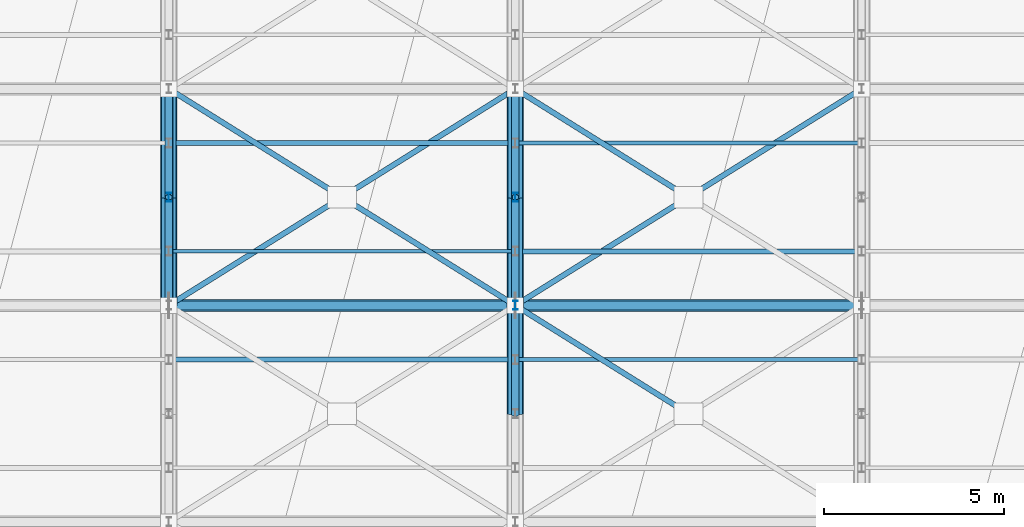
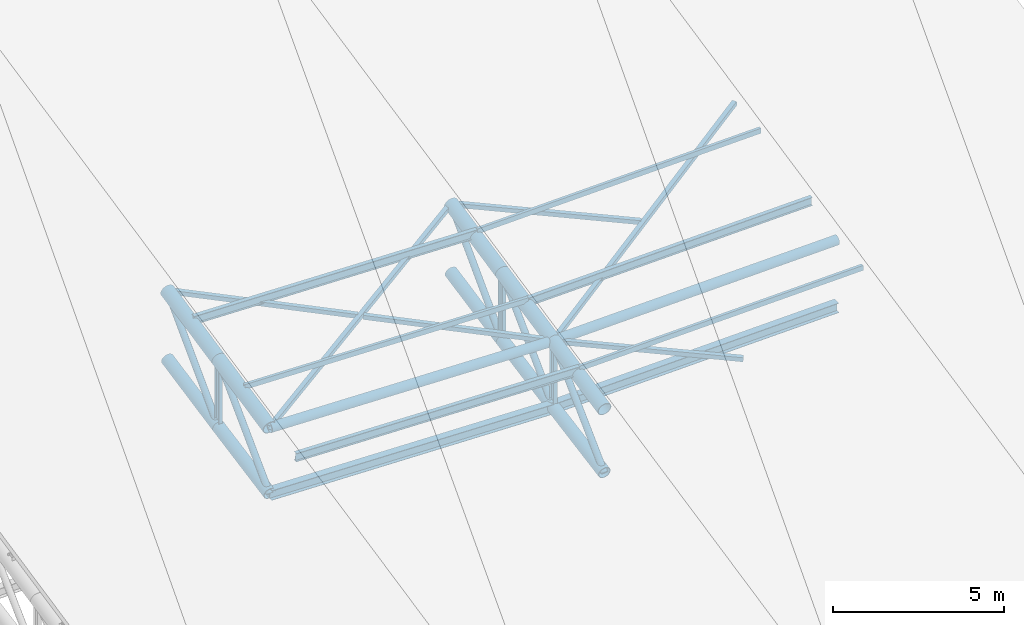
# One storey, part 39 of 109: 24 members, 10 beams.
"""IFC4 building model written with IfcOpenShell, lengths in metres."""

from ifc_helpers import new_model, si_unit, direction, frame, origin, origin_2d, place, context, subcontext, project, spatial, hollow_rectangle, hollow_circle, i_section, extrude, material, material_profile, profile_set, type_object, element, save


model = new_model("IFC4")

# Units and contexts
model_context = context("Model", 3, precision=1e-05, world=origin(), true_north=direction((0.0, 1.0)))
body_context = subcontext(model_context, "Body", "Model", "MODEL_VIEW")
ifc_project = project(units=[si_unit("LENGTHUNIT", "METRE"), si_unit("AREAUNIT", "SQUARE_METRE"), si_unit("VOLUMEUNIT", "CUBIC_METRE"), si_unit("PLANEANGLEUNIT", "RADIAN"), si_unit("MASSUNIT", "GRAM", prefix="KILO")], contexts=[model_context])

# Site, building, storey
site_placement = place(None, origin())
site = spatial("IfcSite", under=ifc_project, at=site_placement, CompositionType="ELEMENT")
building_placement = place(site_placement, origin())
building = spatial("IfcBuilding", under=site, at=building_placement, Name="Suirenkawa Promenade Aquatics Centre", CompositionType="ELEMENT")
storey_placement = place(building_placement, frame((0.0, 0.0, 22.800048828125)))
storey = spatial("IfcBuildingStorey", under=building, at=storey_placement, Name="ROOF", CompositionType="ELEMENT", Elevation=22.800048828125)

# Beams
ifc_material = material(Name="Steel IS 2062 E350 (Grade 350)", Category="steel")
ifc_material_profile_1 = material_profile(ifc_material, hollow_circle(Radius=0.202880859375, WallThickness=0.01806640625, at=origin_2d()), Name="CHS 406x18", Category="steel")
ifc_profile_set_1 = profile_set([ifc_material_profile_1], Name="Steel IS 2062 E350 (Grade 350)")
beam_type_1 = type_object("IfcBeamType", Name="BT-BC-CHS406", PredefinedType="BEAM", material=ifc_profile_set_1)
beam_1_placement = place(storey_placement, frame((165.60009765625, 68.39990234375, -7.341064453125), z_axis=(0.0, 0.982125967057, 0.188224825229), x_axis=(-1.0, 0.0, 0.0)))
element("IfcBeam", 1, at=beam_1_placement, inside=storey, type_object=beam_type_1, Name="ROOF TRUSS V2 bottom chord BC-01 BM-2444", PredefinedType="BEAM", context=body_context, shape_type="SweptSolid", body=[
    extrude(hollow_circle(Radius=0.202880859375, WallThickness=0.01806640625, at=origin_2d()), origin(), (0.0, 0.0, 1.0), 3.0546875),
])
beam_2_placement = place(storey_placement, frame((165.60009765625, 71.39990234375, -6.76611328125), z_axis=(0.0, 0.980204587851, 0.197987287357), x_axis=(-1.0, 0.0, 0.0)))
element("IfcBeam", 2, at=beam_2_placement, inside=storey, type_object=beam_type_1, Name="ROOF TRUSS V2 bottom chord BC-01 BM-2446", PredefinedType="BEAM", context=body_context, shape_type="SweptSolid", body=[
    extrude(hollow_circle(Radius=0.202880859375, WallThickness=0.01806640625, at=origin_2d()), origin(), (0.0, 0.0, 1.0), 3.060546875),
])
beam_3_placement = place(storey_placement, frame((175.199951171875, 65.39990234375, -8.136962890625), z_axis=(0.0, 0.983844279064, 0.179026351561), x_axis=(-1.0, 0.0, 0.0)))
element("IfcBeam", 3, at=beam_3_placement, inside=storey, type_object=beam_type_1, Name="ROOF TRUSS V2 bottom chord BC-01 BM-2478", PredefinedType="BEAM", context=body_context, shape_type="SweptSolid", body=[
    extrude(hollow_circle(Radius=0.202880859375, WallThickness=0.01806640625, at=origin_2d()), origin(), (0.0, 0.0, 1.0), 3.04931640625),
])
beam_4_placement = place(storey_placement, frame((175.199951171875, 68.39990234375, -7.591064453125), z_axis=(0.0, 0.982125967057, 0.188224825229), x_axis=(-1.0, 0.0, 0.0)))
element("IfcBeam", 4, at=beam_4_placement, inside=storey, type_object=beam_type_1, Name="ROOF TRUSS V2 bottom chord BC-01 BM-2480", PredefinedType="BEAM", context=body_context, shape_type="SweptSolid", body=[
    extrude(hollow_circle(Radius=0.202880859375, WallThickness=0.01806640625, at=origin_2d()), origin(), (0.0, 0.0, 1.0), 3.0546875),
])
beam_5_placement = place(storey_placement, frame((175.199951171875, 71.39990234375, -7.01611328125), z_axis=(0.0, 0.980204587851, 0.197987287357), x_axis=(-1.0, 0.0, 0.0)))
element("IfcBeam", 5, at=beam_5_placement, inside=storey, type_object=beam_type_1, Name="ROOF TRUSS V2 bottom chord BC-01 BM-2482", PredefinedType="BEAM", context=body_context, shape_type="SweptSolid", body=[
    extrude(hollow_circle(Radius=0.202880859375, WallThickness=0.01806640625, at=origin_2d()), origin(), (0.0, 0.0, 1.0), 3.060546875),
])
ifc_material_profile_2 = material_profile(ifc_material, hollow_circle(Radius=0.22900390625, WallThickness=0.02001953125, at=origin_2d()), Name="CHS 458x20", Category="steel")
ifc_profile_set_2 = profile_set([ifc_material_profile_2], Name="Steel IS 2062 E350 (Grade 350)")
beam_type_2 = type_object("IfcBeamType", Name="BT-TC-CHS458", PredefinedType="BEAM", material=ifc_profile_set_2)
beam_6_placement = place(storey_placement, frame((165.60009765625, 68.39990234375, -4.97998046875), z_axis=(0.0, 0.978468602667, 0.206395720875), x_axis=(-1.0, 0.0, 0.0)))
element("IfcBeam", 6, at=beam_6_placement, inside=storey, type_object=beam_type_2, Name="ROOF TRUSS V2 top chord TC-01 BM-2443", PredefinedType="BEAM", context=body_context, shape_type="SweptSolid", body=[
    extrude(hollow_circle(Radius=0.22900390625, WallThickness=0.02001953125, at=origin_2d()), origin(), (0.0, 0.0, 1.0), 3.06591796875),
])
for number, where, z_axis, x_axis, name in (
    (7, (165.60009765625, 71.39990234375, -4.34716796875), (0.0, 0.978388130003, 0.206776853322), (-1.0, 0.0, 0.0), "ROOF TRUSS V2 top chord TC-01 BM-2445"),
    (8, (175.199951171875, 65.39990234375, -5.863037109375), (0.0, 0.978452518953, 0.206471954886), (-1.0, 0.0, 0.0), "ROOF TRUSS V2 top chord TC-01 BM-2477"),
):
    element("IfcBeam", number, at=place(storey_placement, frame(where, z_axis=z_axis, x_axis=x_axis)), inside=storey, type_object=beam_type_2, Name=name, PredefinedType="BEAM", context=body_context, shape_type="SweptSolid", body=[
        extrude(hollow_circle(Radius=0.22900390625, WallThickness=0.02001953125, at=origin_2d()), origin(), (0.0, 0.0, 1.0), 3.066162109375),
    ])
beam_7_placement = place(storey_placement, frame((175.199951171875, 68.39990234375, -5.22998046875), z_axis=(0.0, 0.978468602667, 0.206395720875), x_axis=(-1.0, 0.0, 0.0)))
element("IfcBeam", 9, at=beam_7_placement, inside=storey, type_object=beam_type_2, Name="ROOF TRUSS V2 top chord TC-01 BM-2479", PredefinedType="BEAM", context=body_context, shape_type="SweptSolid", body=[
    extrude(hollow_circle(Radius=0.22900390625, WallThickness=0.02001953125, at=origin_2d()), origin(), (0.0, 0.0, 1.0), 3.06591796875),
])
beam_8_placement = place(storey_placement, frame((175.199951171875, 71.39990234375, -4.59716796875), z_axis=(0.0, 0.978388130003, 0.206776853322), x_axis=(-1.0, 0.0, 0.0)))
element("IfcBeam", 10, at=beam_8_placement, inside=storey, type_object=beam_type_2, Name="ROOF TRUSS V2 top chord TC-01 BM-2481", PredefinedType="BEAM", context=body_context, shape_type="SweptSolid", body=[
    extrude(hollow_circle(Radius=0.22900390625, WallThickness=0.02001953125, at=origin_2d()), origin(), (0.0, 0.0, 1.0), 3.066162109375),
])

# Members
ifc_material_profile_3 = material_profile(ifc_material, hollow_rectangle(XDim=0.14990234375, YDim=0.14990234375, WallThickness=0.008056640625, at=origin_2d()), Name="SHS 150x150x8", Category="steel")
ifc_profile_set_3 = profile_set([ifc_material_profile_3], Name="Steel IS 2062 E350 (Grade 350)")
member_type_1 = type_object("IfcMemberType", Name="MT-BRACE-SHS150", PredefinedType="BRACE", material=ifc_profile_set_3)
member_1_placement = place(storey_placement, frame((165.60009765625, 68.39990234375, -4.97998046875), z_axis=(0.84459441012, 0.527879561128, 0.089462010583), x_axis=(-0.530004755527, 0.847994669275, 0.0)))
element("IfcMember", 11, at=member_1_placement, inside=storey, type_object=member_type_1, Name="ROOF TRUSS V2 continuous plan brace BF-02 MB-1240", PredefinedType="BRACE", context=body_context, shape_type="SweptSolid", body=[
    extrude(hollow_rectangle(XDim=0.14990234375, YDim=0.14990234375, WallThickness=0.008056640625, at=origin_2d()), origin(), (0.0, 0.0, 1.0), 11.3662109375),
])
member_2_placement = place(storey_placement, frame((175.199951171875, 68.39990234375, -5.22998046875), z_axis=(-0.840537967888, 0.525238593873, 0.132741643974), x_axis=(-0.529928101095, -0.848042574208, 0.0)))
element("IfcMember", 12, at=member_2_placement, inside=storey, type_object=member_type_1, Name="ROOF TRUSS V2 split plan brace A BF-02 MB-1241", PredefinedType="BRACE", context=body_context, shape_type="SweptSolid", body=[
    extrude(hollow_rectangle(XDim=0.14990234375, YDim=0.14990234375, WallThickness=0.008056640625, at=origin_2d()), origin(), (0.0, 0.0, 1.0), 5.626220703125),
])
member_3_placement = place(storey_placement, frame((170.3291015625, 71.445068359375, -4.4599609375), z_axis=(-0.840557125377, 0.525207170286, 0.132744669413), x_axis=(-0.529896613575, -0.848062249438, 0.0)))
element("IfcMember", 13, at=member_3_placement, inside=storey, type_object=member_type_1, Name="ROOF TRUSS V2 split plan brace B BF-02 MB-1242", PredefinedType="BRACE", context=body_context, shape_type="SweptSolid", body=[
    extrude(hollow_rectangle(XDim=0.14990234375, YDim=0.14990234375, WallThickness=0.008056640625, at=origin_2d()), origin(), (0.0, 0.0, 1.0), 5.6259765625),
])
member_4_placement = place(storey_placement, frame((179.927978515625, 65.445068359375, -5.73095703125), z_axis=(-0.84461029581, 0.527848725095, 0.089493975369), x_axis=(-0.529975323389, -0.848013063931, 0.0)))
element("IfcMember", 14, at=member_4_placement, inside=storey, type_object=member_type_1, Name="ROOF TRUSS V2 split plan brace B BF-02 MB-1260", PredefinedType="BRACE", context=body_context, shape_type="SweptSolid", body=[
    extrude(hollow_rectangle(XDim=0.14990234375, YDim=0.14990234375, WallThickness=0.008056640625, at=origin_2d()), origin(), (0.0, 0.0, 1.0), 5.597900390625),
])
member_5_placement = place(storey_placement, frame((175.199951171875, 68.39990234375, -5.22998046875), z_axis=(0.840489856682, 0.52530081679, 0.132800047799), x_axis=(-0.529995063044, 0.848000727092, 0.0)))
element("IfcMember", 15, at=member_5_placement, inside=storey, type_object=member_type_1, Name="ROOF TRUSS V2 continuous plan brace BF-02 MB-1261", PredefinedType="BRACE", context=body_context, shape_type="SweptSolid", body=[
    extrude(hollow_rectangle(XDim=0.14990234375, YDim=0.14990234375, WallThickness=0.008056640625, at=origin_2d()), origin(), (0.0, 0.0, 1.0), 11.422119140625),
])
member_6_placement = place(storey_placement, frame((179.927978515625, 71.445068359375, -4.464111328125), z_axis=(-0.84461029581, 0.527848725095, 0.089493975369), x_axis=(-0.529975323389, -0.848013063931, 0.0)))
element("IfcMember", 16, at=member_6_placement, inside=storey, type_object=member_type_1, Name="ROOF TRUSS V2 split plan brace B BF-02 MB-1263", PredefinedType="BRACE", context=body_context, shape_type="SweptSolid", body=[
    extrude(hollow_rectangle(XDim=0.14990234375, YDim=0.14990234375, WallThickness=0.008056640625, at=origin_2d()), origin(), (0.0, 0.0, 1.0), 5.597900390625),
])
ifc_material_profile_4 = material_profile(ifc_material, hollow_circle(Radius=0.162109375, WallThickness=0.013916015625, at=origin_2d()), Name="CHS 324x14", Category="steel")
ifc_profile_set_4 = profile_set([ifc_material_profile_4], Name="Steel IS 2062 E350 (Grade 350)")
member_type_2 = type_object("IfcMemberType", Name="MT-CHORD-CHS324", PredefinedType="CHORD", material=ifc_profile_set_4)
member_7_placement = place(storey_placement, frame((165.60009765625, 68.39990234375, -4.97998046875), z_axis=(0.999661077831, 0.0, -0.026033237804), x_axis=(0.0, 1.0, 0.0)))
element("IfcMember", 17, at=member_7_placement, inside=storey, type_object=member_type_2, Name="ROOF TRUSS V2 tie chord CH-01 MB-1188", PredefinedType="CHORD", context=body_context, shape_type="SweptSolid", body=[
    extrude(hollow_circle(Radius=0.162109375, WallThickness=0.013916015625, at=origin_2d()), origin(), (0.0, 0.0, 1.0), 9.60302734375),
])
member_8_placement = place(storey_placement, frame((175.199951171875, 68.39990234375, -5.22998046875), z_axis=(0.99966109506, 0.0, 0.0260325762), x_axis=(0.0, 1.0, 0.0)))
element("IfcMember", 18, at=member_8_placement, inside=storey, type_object=member_type_2, Name="ROOF TRUSS V2 tie chord CH-01 MB-1190", PredefinedType="CHORD", context=body_context, shape_type="SweptSolid", body=[
    extrude(hollow_circle(Radius=0.162109375, WallThickness=0.013916015625, at=origin_2d()), origin(), (0.0, 0.0, 1.0), 9.603271484375),
])
ifc_material_profile_5 = material_profile(ifc_material, i_section(OverallWidth=0.25, OverallDepth=0.35009765625, WebThickness=0.010009765625, FlangeThickness=0.011962890625, at=origin_2d()), Name="ISHB 350", Category="steel")
ifc_profile_set_5 = profile_set([ifc_material_profile_5], Name="Steel IS 2062 E350 (Grade 350)")
member_type_3 = type_object("IfcMemberType", Name="MT-CHORD-ISHB350", PredefinedType="CHORD", material=ifc_profile_set_5)
member_9_placement = place(storey_placement, frame((165.60009765625, 68.39990234375, -7.341064453125), z_axis=(0.999661077831, 0.0, -0.026033237804), x_axis=(0.0, 1.0, 0.0)))
element("IfcMember", 19, at=member_9_placement, inside=storey, type_object=member_type_3, Name="ROOF TRUSS V2 bottom tie CH-04 MB-1189", PredefinedType="CHORD", context=body_context, shape_type="SweptSolid", body=[
    extrude(i_section(OverallWidth=0.25, OverallDepth=0.35009765625, WebThickness=0.010009765625, FlangeThickness=0.011962890625, at=origin_2d()), origin(), (0.0, 0.0, 1.0), 9.60302734375),
])
member_10_placement = place(storey_placement, frame((175.199951171875, 68.39990234375, -7.591064453125), z_axis=(0.99966109506, 0.0, 0.0260325762), x_axis=(0.0, 1.0, 0.0)))
element("IfcMember", 20, at=member_10_placement, inside=storey, type_object=member_type_3, Name="ROOF TRUSS V2 bottom tie CH-04 MB-1191", PredefinedType="CHORD", context=body_context, shape_type="SweptSolid", body=[
    extrude(i_section(OverallWidth=0.25, OverallDepth=0.35009765625, WebThickness=0.010009765625, FlangeThickness=0.011962890625, at=origin_2d()), origin(), (0.0, 0.0, 1.0), 9.603271484375),
])
ifc_material_profile_6 = material_profile(ifc_material, i_section(OverallWidth=0.139892578125, OverallDepth=0.300048828125, WebThickness=0.008056640625, FlangeThickness=0.012939453125, at=origin_2d()), Name="ISMB 300", Category="steel")
ifc_profile_set_6 = profile_set([ifc_material_profile_6], Name="Steel IS 2062 E350 (Grade 350)")
member_type_4 = type_object("IfcMemberType", Name="MT-PURLIN-ISMB300", PredefinedType="PURLIN", material=ifc_profile_set_6)
for number, where, z_axis, x_axis, name in (
    (21, (165.60009765625, 66.89990234375, -5.110107421875), (0.999661077831, 0.0, -0.026033237804), (0.0, 1.0, 0.0), "ROOF TRUSS Roof purlin PU-05 MB-2485"),
    (22, (165.60009765625, 72.89990234375, -3.843994140625), (0.999661077831, 0.0, -0.026033237804), (0.0, 1.0, 0.0), "ROOF TRUSS Roof purlin PU-05 MB-2489"),
):
    element("IfcMember", number, at=place(storey_placement, frame(where, z_axis=z_axis, x_axis=x_axis)), inside=storey, type_object=member_type_4, Name=name, PredefinedType="PURLIN", context=body_context, shape_type="SweptSolid", body=[
        extrude(i_section(OverallWidth=0.139892578125, OverallDepth=0.300048828125, WebThickness=0.008056640625, FlangeThickness=0.012939453125, at=origin_2d()), origin(), (0.0, 0.0, 1.0), 9.60302734375),
    ])
member_11_placement = place(storey_placement, frame((175.199951171875, 69.89990234375, -4.72705078125), z_axis=(0.99966109506, 0.0, 0.0260325762), x_axis=(0.0, 1.0, 0.0)))
element("IfcMember", 23, at=member_11_placement, inside=storey, type_object=member_type_4, Name="ROOF TRUSS Roof purlin PU-05 MB-2531", PredefinedType="PURLIN", context=body_context, shape_type="SweptSolid", body=[
    extrude(i_section(OverallWidth=0.139892578125, OverallDepth=0.300048828125, WebThickness=0.008056640625, FlangeThickness=0.012939453125, at=origin_2d()), origin(), (0.0, 0.0, 1.0), 9.603271484375),
])
ifc_material_profile_7 = material_profile(ifc_material, hollow_rectangle(XDim=0.10009765625, YDim=0.179931640625, WallThickness=0.008056640625, at=origin_2d()), Name="RHS 180x100x8", Category="steel")
ifc_profile_set_7 = profile_set([ifc_material_profile_7], Name="Steel IS 2062 E350 (Grade 350)")
member_type_5 = type_object("IfcMemberType", Name="MT-PURLIN-RHS180", PredefinedType="PURLIN", material=ifc_profile_set_7)
member_12_placement = place(storey_placement, frame((165.60009765625, 69.89990234375, -4.4130859375), z_axis=(0.999661077831, 0.0, -0.026033237804), x_axis=(0.0, 1.0, 0.0)))
element("IfcMember", 24, at=member_12_placement, inside=storey, type_object=member_type_5, Name="ROOF TRUSS Roof purlin PU-01 MB-2487", PredefinedType="PURLIN", context=body_context, shape_type="SweptSolid", body=[
    extrude(hollow_rectangle(XDim=0.10009765625, YDim=0.179931640625, WallThickness=0.008056640625, at=origin_2d()), origin(), (0.0, 0.0, 1.0), 9.60302734375),
])
for number, where, z_axis, x_axis, name in (
    (25, (175.199951171875, 66.89990234375, -5.296142578125), (0.99966109506, 0.0, 0.0260325762), (0.0, 1.0, 0.0), "ROOF TRUSS Roof purlin PU-01 MB-2529"),
    (26, (175.199951171875, 72.89990234375, -4.029052734375), (0.99966109506, 0.0, 0.0260325762), (0.0, 1.0, 0.0), "ROOF TRUSS Roof purlin PU-01 MB-2533"),
):
    element("IfcMember", number, at=place(storey_placement, frame(where, z_axis=z_axis, x_axis=x_axis)), inside=storey, type_object=member_type_5, Name=name, PredefinedType="PURLIN", context=body_context, shape_type="SweptSolid", body=[
        extrude(hollow_rectangle(XDim=0.10009765625, YDim=0.179931640625, WallThickness=0.008056640625, at=origin_2d()), origin(), (0.0, 0.0, 1.0), 9.603271484375),
    ])
ifc_material_profile_8 = material_profile(ifc_material, i_section(OverallWidth=0.125, OverallDepth=0.25, WebThickness=0.007080078125, FlangeThickness=0.012939453125, at=origin_2d()), Name="ISMB 250", Category="steel")
ifc_profile_set_8 = profile_set([ifc_material_profile_8], Name="Steel IS 2062 E350 (Grade 350)")
member_type_6 = type_object("IfcMemberType", Name="MT-WEB-CHS168", PredefinedType="BRACE", material=ifc_profile_set_8)
member_13_placement = place(storey_placement, frame((165.60009765625, 71.39990234375, -6.76611328125), z_axis=(0.0, 0.0, 1.0), x_axis=(1.0, 0.0, 0.0)))
element("IfcMember", 27, at=member_13_placement, inside=storey, type_object=member_type_6, Name="ROOF TRUSS V2 web post TD-03 MB-1030", PredefinedType="BRACE", context=body_context, shape_type="SweptSolid", body=[
    extrude(i_section(OverallWidth=0.125, OverallDepth=0.25, WebThickness=0.007080078125, FlangeThickness=0.012939453125, at=origin_2d()), origin(), (0.0, 0.0, 1.0), 2.4189453125),
])
member_14_placement = place(storey_placement, frame((175.199951171875, 68.39990234375, -7.591064453125), z_axis=(0.0, 0.0, 1.0), x_axis=(1.0, 0.0, 0.0)))
element("IfcMember", 28, at=member_14_placement, inside=storey, type_object=member_type_6, Name="ROOF TRUSS V2 web post TD-03 MB-1064", PredefinedType="BRACE", context=body_context, shape_type="SweptSolid", body=[
    extrude(i_section(OverallWidth=0.125, OverallDepth=0.25, WebThickness=0.007080078125, FlangeThickness=0.012939453125, at=origin_2d()), origin(), (0.0, 0.0, 1.0), 2.361083984375),
])
member_15_placement = place(storey_placement, frame((175.199951171875, 71.39990234375, -7.01611328125), z_axis=(0.0, 0.0, 1.0), x_axis=(1.0, 0.0, 0.0)))
element("IfcMember", 29, at=member_15_placement, inside=storey, type_object=member_type_6, Name="ROOF TRUSS V2 web post TD-03 MB-1065", PredefinedType="BRACE", context=body_context, shape_type="SweptSolid", body=[
    extrude(i_section(OverallWidth=0.125, OverallDepth=0.25, WebThickness=0.007080078125, FlangeThickness=0.012939453125, at=origin_2d()), origin(), (0.0, 0.0, 1.0), 2.4189453125),
])
ifc_material_profile_9 = material_profile(ifc_material, hollow_circle(Radius=0.110107421875, WallThickness=0.010009765625, at=origin_2d()), Name="CHS 220x10", Category="steel")
ifc_profile_set_9 = profile_set([ifc_material_profile_9], Name="Steel IS 2062 E350 (Grade 350)")
member_type_7 = type_object("IfcMemberType", Name="MT-WEB-CHS220", PredefinedType="BRACE", material=ifc_profile_set_9)
member_16_placement = place(storey_placement, frame((165.60009765625, 68.39990234375, -7.341064453125), z_axis=(0.0, 0.707826452886, 0.706386376281), x_axis=(-1.0, 0.0, 0.0)))
element("IfcMember", 30, at=member_16_placement, inside=storey, type_object=member_type_7, Name="ROOF TRUSS V2 web diagonal TD-01 MB-1012", PredefinedType="BRACE", context=body_context, shape_type="SweptSolid", body=[
    extrude(hollow_circle(Radius=0.110107421875, WallThickness=0.010009765625, at=origin_2d()), origin(), (0.0, 0.0, 1.0), 4.23828125),
])
member_17_placement = place(storey_placement, frame((165.60009765625, 71.39990234375, -6.76611328125), z_axis=(0.0, 0.700891004353, 0.713268392695), x_axis=(-1.0, 0.0, 0.0)))
element("IfcMember", 31, at=member_17_placement, inside=storey, type_object=member_type_7, Name="ROOF TRUSS V2 web diagonal TD-01 MB-1013", PredefinedType="BRACE", context=body_context, shape_type="SweptSolid", body=[
    extrude(hollow_circle(Radius=0.110107421875, WallThickness=0.010009765625, at=origin_2d()), origin(), (0.0, 0.0, 1.0), 4.2802734375),
])
member_18_placement = place(storey_placement, frame((175.199951171875, 65.39990234375, -8.136962890625), z_axis=(0.0, 0.718152596146, 0.69588565774), x_axis=(-1.0, 0.0, 0.0)))
element("IfcMember", 32, at=member_18_placement, inside=storey, type_object=member_type_7, Name="ROOF TRUSS V2 web diagonal TD-01 MB-1046", PredefinedType="BRACE", context=body_context, shape_type="SweptSolid", body=[
    extrude(hollow_circle(Radius=0.110107421875, WallThickness=0.010009765625, at=origin_2d()), origin(), (0.0, 0.0, 1.0), 4.177490234375),
])
member_19_placement = place(storey_placement, frame((175.199951171875, 68.39990234375, -7.591064453125), z_axis=(0.0, 0.707826452886, 0.706386376281), x_axis=(-1.0, 0.0, 0.0)))
element("IfcMember", 33, at=member_19_placement, inside=storey, type_object=member_type_7, Name="ROOF TRUSS V2 web diagonal TD-01 MB-1047", PredefinedType="BRACE", context=body_context, shape_type="SweptSolid", body=[
    extrude(hollow_circle(Radius=0.110107421875, WallThickness=0.010009765625, at=origin_2d()), origin(), (0.0, 0.0, 1.0), 4.23828125),
])
member_20_placement = place(storey_placement, frame((175.199951171875, 71.39990234375, -7.01611328125), z_axis=(0.0, 0.700891004353, 0.713268392695), x_axis=(-1.0, 0.0, 0.0)))
element("IfcMember", 34, at=member_20_placement, inside=storey, type_object=member_type_7, Name="ROOF TRUSS V2 web diagonal TD-01 MB-1048", PredefinedType="BRACE", context=body_context, shape_type="SweptSolid", body=[
    extrude(hollow_circle(Radius=0.110107421875, WallThickness=0.010009765625, at=origin_2d()), origin(), (0.0, 0.0, 1.0), 4.2802734375),
])

save(model, "model.ifc")
